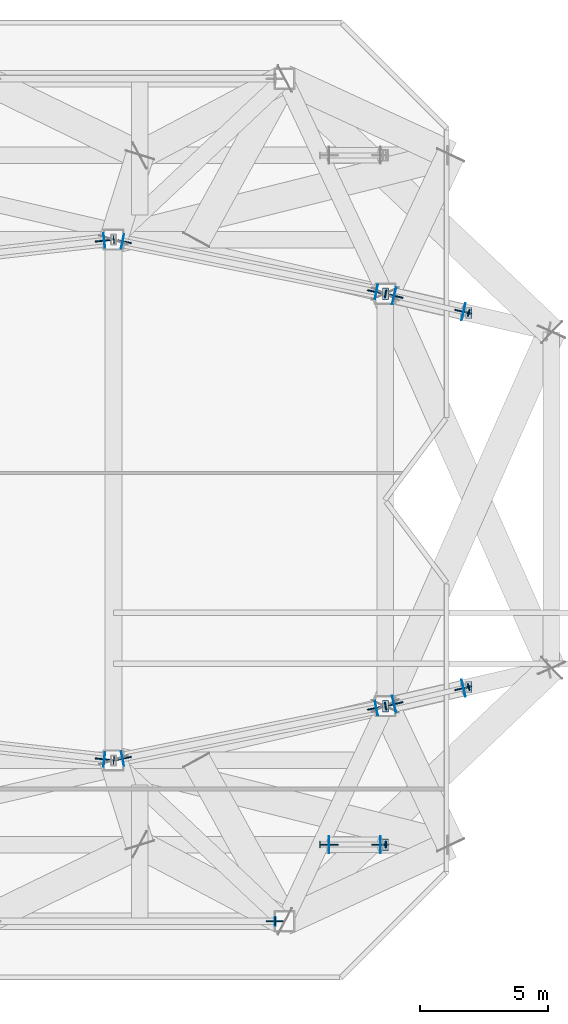
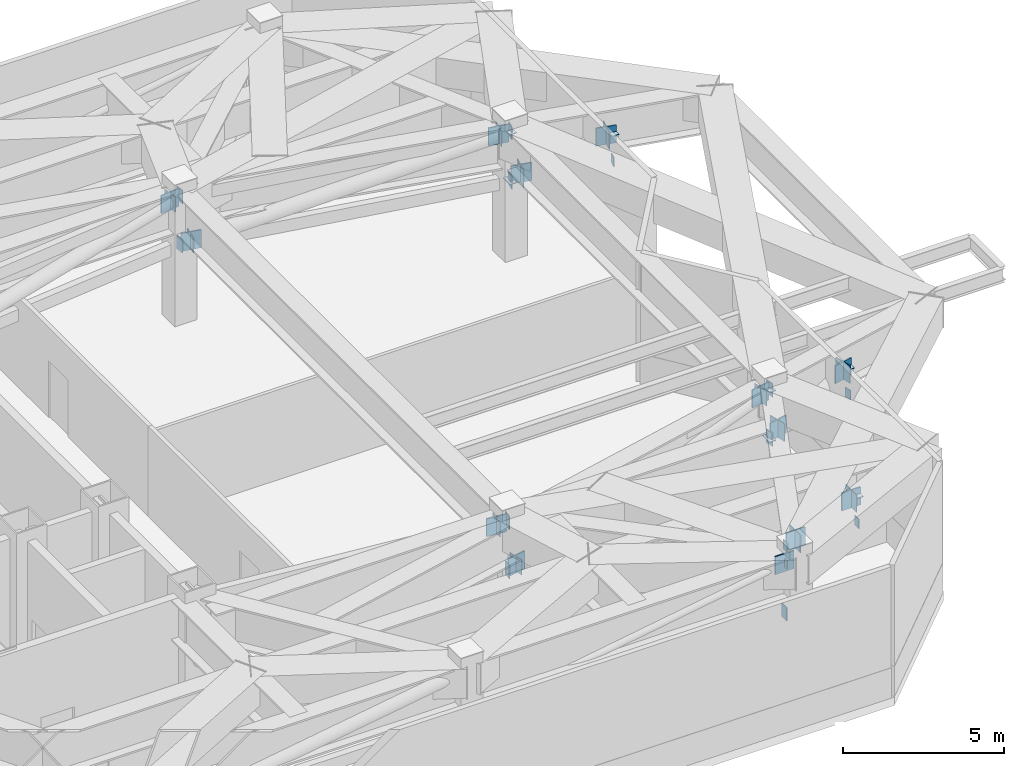
# One storey, part 11 of 19: 48 plates.
"""IFC4 building model written with IfcOpenShell, lengths in metres."""

from ifc_helpers import new_model, si_unit, direction, frame, origin, origin_2d, place, context, subcontext, project, spatial, rectangle, extrude, material, layer, layer_set, type_object, element, save


model = new_model("IFC4")

# Units and contexts
model_context = context("Model", 3, precision=1e-05, world=origin(), true_north=direction((0.0, 1.0)))
body_context = subcontext(model_context, "Body", "Model", "MODEL_VIEW")
ifc_project = project(units=[si_unit("LENGTHUNIT", "METRE"), si_unit("AREAUNIT", "SQUARE_METRE"), si_unit("VOLUMEUNIT", "CUBIC_METRE"), si_unit("PLANEANGLEUNIT", "RADIAN"), si_unit("MASSUNIT", "GRAM", prefix="KILO")], contexts=[model_context])

# Site, building, storey
site_placement = place(None, origin())
site = spatial("IfcSite", under=ifc_project, at=site_placement, CompositionType="ELEMENT")
building_placement = place(site_placement, origin())
building = spatial("IfcBuilding", under=site, at=building_placement, Name="Khamvora Tower", CompositionType="ELEMENT")
storey_placement = place(building_placement, frame((0.0, 0.0, 211.800048828125)))
storey = spatial("IfcBuildingStorey", under=building, at=storey_placement, Name="L54", CompositionType="ELEMENT", Elevation=211.800048828125)

# Plates
ifc_material_1 = material(Name="Steel S355", Category="steel")
ifc_layer_1 = layer(ifc_material_1, 0.02490234375)
ifc_layer_set_1 = layer_set([ifc_layer_1], Name="Steel S355")
plate_type_1 = type_object("IfcPlateType", Name="PL-CAP-25", PredefinedType="SHEET", material=ifc_layer_set_1)
for number, where, z_axis, x_axis, name in (
    (1, (50.06201171875, 17.799072265625, 4.375), (0.0, 0.0, 1.0), (0.993711372373, -0.11197190905, 0.0), "L54 hollow section steel end cap plate 1013"),
    (2, (50.06201171875, 17.799072265625, 2.5048828125), (0.0, 0.0, 1.0), (0.993711372373, -0.11197190905, 0.0), "L54 hollow section steel end cap plate 1015"),
):
    element("IfcPlate", number, at=place(storey_placement, frame(where, z_axis=z_axis, x_axis=x_axis)), inside=storey, type_object=plate_type_1, Name=name, PredefinedType="SHEET", context=body_context, shape_type="SweptSolid", body=[
        extrude(rectangle(XDim=0.02490234375, YDim=0.31005859375, at=origin_2d()), origin(), (0.0, 0.0, 1.0), 0.510009765625),
    ])
plate_1_placement = place(storey_placement, frame((49.68994140625, 17.841064453125, 4.28271484375), z_axis=(0.0, 0.0, 1.0), x_axis=(0.993707463211, -0.112006596052, 0.0)))
element("IfcPlate", 3, at=plate_1_placement, inside=storey, type_object=plate_type_1, Name="L54 hollow section steel end cap plate 1017", PredefinedType="SHEET", context=body_context, shape_type="SweptSolid", body=[
    extrude(rectangle(XDim=0.02490234375, YDim=0.568115234375, at=origin_2d()), origin(), (0.0, 0.0, 1.0), 0.568115234375),
])
for number, where, z_axis, x_axis, name in (
    (4, (60.7119140625, 19.927001953125, 4.375), (0.0, 0.0, 1.0), (0.980669338797, 0.195672297334, 0.0), "L54 hollow section steel end cap plate 1018"),
    (5, (60.7119140625, 19.927001953125, 2.5048828125), (0.0, 0.0, 1.0), (0.980669338797, 0.195672297334, 0.0), "L54 hollow section steel end cap plate 1019"),
):
    element("IfcPlate", number, at=place(storey_placement, frame(where, z_axis=z_axis, x_axis=x_axis)), inside=storey, type_object=plate_type_1, Name=name, PredefinedType="SHEET", context=body_context, shape_type="SweptSolid", body=[
        extrude(rectangle(XDim=0.02490234375, YDim=0.31005859375, at=origin_2d()), origin(), (0.0, 0.0, 1.0), 0.510009765625),
    ])
for number, where, z_axis, x_axis, name in (
    (6, (50.405029296875, 17.87109375, 2.5380859375), (0.0, 0.0, 1.0), (0.980659092075, 0.195723644792, 0.0), "L54 hollow section steel end cap plate 1020"),
    (7, (60.344970703125, 19.85400390625, 4.28369140625), (0.0, 0.0, 1.0), (0.980659092075, 0.195723644792, 0.0), "L54 hollow section steel end cap plate 1021"),
):
    element("IfcPlate", number, at=place(storey_placement, frame(where, z_axis=z_axis, x_axis=x_axis)), inside=storey, type_object=plate_type_1, Name=name, PredefinedType="SHEET", context=body_context, shape_type="SweptSolid", body=[
        extrude(rectangle(XDim=0.02490234375, YDim=0.568115234375, at=origin_2d()), origin(), (0.0, 0.0, 1.0), 0.568115234375),
    ])
for number, where, z_axis, x_axis, name in (
    (8, (60.699951171875, 19.925048828125, 2.735595703125), (0.0, 0.0, 1.0), (1.0, 0.0, 0.0), "L54 hollow section steel end cap plate 1022"),
    (9, (60.699951171875, 19.925048828125, 4.62939453125), (0.0, 0.0, 1.0), (1.0, 0.0, 0.0), "L54 hollow section steel end cap plate 1023"),
):
    element("IfcPlate", number, at=place(storey_placement, frame(where, z_axis=z_axis, x_axis=x_axis)), inside=storey, type_object=plate_type_1, Name=name, PredefinedType="SHEET", context=body_context, shape_type="SweptSolid", body=[
        extrude(rectangle(XDim=0.239990234375, YDim=0.43994140625, at=origin_2d()), origin(), (0.0, 0.0, 1.0), 0.02490234375),
    ])
for number, where, z_axis, x_axis, name in (
    (10, (50.06201171875, 38.200927734375, 4.375), (0.0, 0.0, 1.0), (0.993711372373, 0.11197190905, 0.0), "L54 hollow section steel end cap plate 1025"),
    (11, (50.06201171875, 38.200927734375, 2.5048828125), (0.0, 0.0, 1.0), (0.993711372373, 0.11197190905, 0.0), "L54 hollow section steel end cap plate 1027"),
):
    element("IfcPlate", number, at=place(storey_placement, frame(where, z_axis=z_axis, x_axis=x_axis)), inside=storey, type_object=plate_type_1, Name=name, PredefinedType="SHEET", context=body_context, shape_type="SweptSolid", body=[
        extrude(rectangle(XDim=0.02490234375, YDim=0.31005859375, at=origin_2d()), origin(), (0.0, 0.0, 1.0), 0.510009765625),
    ])
plate_2_placement = place(storey_placement, frame((49.68994140625, 38.158935546875, 4.28271484375), z_axis=(0.0, 0.0, 1.0), x_axis=(0.993707463211, 0.112006596052, 0.0)))
element("IfcPlate", 12, at=plate_2_placement, inside=storey, type_object=plate_type_1, Name="L54 hollow section steel end cap plate 1029", PredefinedType="SHEET", context=body_context, shape_type="SweptSolid", body=[
    extrude(rectangle(XDim=0.02490234375, YDim=0.568115234375, at=origin_2d()), origin(), (0.0, 0.0, 1.0), 0.568115234375),
])
for number, where, z_axis, x_axis, name in (
    (13, (60.7119140625, 36.072998046875, 4.375), (0.0, 0.0, 1.0), (0.980669338797, -0.195672297334, 0.0), "L54 hollow section steel end cap plate 1030"),
    (14, (60.7119140625, 36.072998046875, 2.5048828125), (0.0, 0.0, 1.0), (0.980669338797, -0.195672297334, 0.0), "L54 hollow section steel end cap plate 1031"),
):
    element("IfcPlate", number, at=place(storey_placement, frame(where, z_axis=z_axis, x_axis=x_axis)), inside=storey, type_object=plate_type_1, Name=name, PredefinedType="SHEET", context=body_context, shape_type="SweptSolid", body=[
        extrude(rectangle(XDim=0.02490234375, YDim=0.31005859375, at=origin_2d()), origin(), (0.0, 0.0, 1.0), 0.510009765625),
    ])
for number, where, z_axis, x_axis, name in (
    (15, (50.405029296875, 38.12890625, 2.5380859375), (0.0, 0.0, 1.0), (0.980659092075, -0.195723644792, 0.0), "L54 hollow section steel end cap plate 1032"),
    (16, (60.344970703125, 36.14599609375, 4.28369140625), (0.0, 0.0, 1.0), (0.980659092075, -0.195723644792, 0.0), "L54 hollow section steel end cap plate 1033"),
):
    element("IfcPlate", number, at=place(storey_placement, frame(where, z_axis=z_axis, x_axis=x_axis)), inside=storey, type_object=plate_type_1, Name=name, PredefinedType="SHEET", context=body_context, shape_type="SweptSolid", body=[
        extrude(rectangle(XDim=0.02490234375, YDim=0.568115234375, at=origin_2d()), origin(), (0.0, 0.0, 1.0), 0.568115234375),
    ])
for number, where, z_axis, x_axis, name in (
    (17, (60.699951171875, 36.074951171875, 2.735595703125), (0.0, 0.0, 1.0), (1.0, 0.0, 0.0), "L54 hollow section steel end cap plate 1034"),
    (18, (60.699951171875, 36.074951171875, 4.62939453125), (0.0, 0.0, 1.0), (1.0, 0.0, 0.0), "L54 hollow section steel end cap plate 1035"),
):
    element("IfcPlate", number, at=place(storey_placement, frame(where, z_axis=z_axis, x_axis=x_axis)), inside=storey, type_object=plate_type_1, Name=name, PredefinedType="SHEET", context=body_context, shape_type="SweptSolid", body=[
        extrude(rectangle(XDim=0.239990234375, YDim=0.43994140625, at=origin_2d()), origin(), (0.0, 0.0, 1.0), 0.02490234375),
    ])
plate_3_placement = place(storey_placement, frame((56.383056640625, 11.5, 2.5048828125), z_axis=(0.0, 0.0, 1.0), x_axis=(1.0, 0.0, 0.0)))
element("IfcPlate", 19, at=plate_3_placement, inside=storey, type_object=plate_type_1, Name="L54 hollow section steel end cap plate 1045", PredefinedType="SHEET", context=body_context, shape_type="SweptSolid", body=[
    extrude(rectangle(XDim=0.02490234375, YDim=0.31005859375, at=origin_2d()), origin(), (0.0, 0.0, 1.0), 0.510009765625),
])
for number, where, z_axis, x_axis, name in (
    (20, (58.14404296875, 14.5, 2.65966796875), (0.0, 0.0, 1.0), (1.0, 0.0, 0.0), "L54 hollow section steel end cap plate 1060"),
    (21, (60.716064453125, 14.5, 2.65966796875), (0.0, 0.0, 1.0), (1.0, 0.0, 0.0), "L54 hollow section steel end cap plate 1061"),
):
    element("IfcPlate", number, at=place(storey_placement, frame(where, z_axis=z_axis, x_axis=x_axis)), inside=storey, type_object=plate_type_1, Name=name, PredefinedType="SHEET", context=body_context, shape_type="SweptSolid", body=[
        extrude(rectangle(XDim=0.02490234375, YDim=0.260009765625, at=origin_2d()), origin(), (0.0, 0.0, 1.0), 0.360107421875),
    ])
plate_4_placement = place(storey_placement, frame((60.702880859375, 14.5, 3.889404296875), z_axis=(0.0, 0.0, 1.0), x_axis=(1.0, 0.0, 0.0)))
element("IfcPlate", 22, at=plate_4_placement, inside=storey, type_object=plate_type_1, Name="L54 hollow section steel end cap plate 1062", PredefinedType="SHEET", context=body_context, shape_type="SweptSolid", body=[
    extrude(rectangle(XDim=0.239990234375, YDim=0.43994140625, at=origin_2d()), origin(), (0.0, 0.0, 1.0), 0.02490234375),
])
for number, where, z_axis, x_axis, name in (
    (23, (58.49609375, 14.5, 2.64501953125), (0.0, 0.0, 1.0), (1.0, 0.0, 0.0), "L54 hollow section steel end cap plate 1063"),
    (24, (60.511962890625, 14.5, 3.47607421875), (0.0, 0.0, 1.0), (1.0, 0.0, 0.0), "L54 hollow section steel end cap plate 1064"),
):
    element("IfcPlate", number, at=place(storey_placement, frame(where, z_axis=z_axis, x_axis=x_axis)), inside=storey, type_object=plate_type_1, Name=name, PredefinedType="SHEET", context=body_context, shape_type="SweptSolid", body=[
        extrude(rectangle(XDim=0.02490234375, YDim=0.669921875, at=origin_2d()), origin(), (0.0, 0.0, 1.0), 0.669921875),
    ])
for number, where, z_axis, x_axis, name in (
    (25, (60.68798828125, 19.922119140625, 2.65966796875), (0.0, 0.0, 1.0), (0.974389691758, 0.224866023659, 0.0), "L54 hollow section steel end cap plate 1074"),
    (26, (63.9619140625, 20.677978515625, 2.65966796875), (0.0, 0.0, 1.0), (0.974389691758, 0.224866023659, 0.0), "L54 hollow section steel end cap plate 1075"),
):
    element("IfcPlate", number, at=place(storey_placement, frame(where, z_axis=z_axis, x_axis=x_axis)), inside=storey, type_object=plate_type_1, Name=name, PredefinedType="SHEET", context=body_context, shape_type="SweptSolid", body=[
        extrude(rectangle(XDim=0.02490234375, YDim=0.260009765625, at=origin_2d()), origin(), (0.0, 0.0, 1.0), 0.360107421875),
    ])
plate_5_placement = place(storey_placement, frame((63.949951171875, 20.675048828125, 3.889404296875), z_axis=(0.0, 0.0, 1.0), x_axis=(1.0, 0.0, 0.0)))
element("IfcPlate", 27, at=plate_5_placement, inside=storey, type_object=plate_type_1, Name="L54 hollow section steel end cap plate 1076", PredefinedType="SHEET", context=body_context, shape_type="SweptSolid", body=[
    extrude(rectangle(XDim=0.239990234375, YDim=0.43994140625, at=origin_2d()), origin(), (0.0, 0.0, 1.0), 0.02490234375),
])
for number, where, z_axis, x_axis, name in (
    (28, (61.041015625, 20.00390625, 2.614990234375), (0.0, 0.0, 1.0), (0.974428923442, 0.224695957151, 0.0), "L54 hollow section steel end cap plate 1077"),
    (29, (63.758056640625, 20.631103515625, 3.492919921875), (0.0, 0.0, 1.0), (0.974428923442, 0.224695957151, 0.0), "L54 hollow section steel end cap plate 1078"),
):
    element("IfcPlate", number, at=place(storey_placement, frame(where, z_axis=z_axis, x_axis=x_axis)), inside=storey, type_object=plate_type_1, Name=name, PredefinedType="SHEET", context=body_context, shape_type="SweptSolid", body=[
        extrude(rectangle(XDim=0.02490234375, YDim=0.669921875, at=origin_2d()), origin(), (0.0, 0.0, 1.0), 0.669921875),
    ])
for number, where, z_axis, x_axis, name in (
    (30, (60.68798828125, 36.077880859375, 2.65966796875), (0.0, 0.0, 1.0), (0.974389691758, -0.224866023659, 0.0), "L54 hollow section steel end cap plate 1079"),
    (31, (63.9619140625, 35.322021484375, 2.65966796875), (0.0, 0.0, 1.0), (0.974389691758, -0.224866023659, 0.0), "L54 hollow section steel end cap plate 1080"),
):
    element("IfcPlate", number, at=place(storey_placement, frame(where, z_axis=z_axis, x_axis=x_axis)), inside=storey, type_object=plate_type_1, Name=name, PredefinedType="SHEET", context=body_context, shape_type="SweptSolid", body=[
        extrude(rectangle(XDim=0.02490234375, YDim=0.260009765625, at=origin_2d()), origin(), (0.0, 0.0, 1.0), 0.360107421875),
    ])
plate_6_placement = place(storey_placement, frame((63.949951171875, 35.324951171875, 3.889404296875), z_axis=(0.0, 0.0, 1.0), x_axis=(1.0, 0.0, 0.0)))
element("IfcPlate", 32, at=plate_6_placement, inside=storey, type_object=plate_type_1, Name="L54 hollow section steel end cap plate 1081", PredefinedType="SHEET", context=body_context, shape_type="SweptSolid", body=[
    extrude(rectangle(XDim=0.239990234375, YDim=0.43994140625, at=origin_2d()), origin(), (0.0, 0.0, 1.0), 0.02490234375),
])
for number, where, z_axis, x_axis, name in (
    (33, (61.041015625, 35.99609375, 2.614990234375), (0.0, 0.0, 1.0), (0.974428923442, -0.224695957151, 0.0), "L54 hollow section steel end cap plate 1082"),
    (34, (63.758056640625, 35.368896484375, 3.492919921875), (0.0, 0.0, 1.0), (0.974428923442, -0.224695957151, 0.0), "L54 hollow section steel end cap plate 1083"),
):
    element("IfcPlate", number, at=place(storey_placement, frame(where, z_axis=z_axis, x_axis=x_axis)), inside=storey, type_object=plate_type_1, Name=name, PredefinedType="SHEET", context=body_context, shape_type="SweptSolid", body=[
        extrude(rectangle(XDim=0.02490234375, YDim=0.669921875, at=origin_2d()), origin(), (0.0, 0.0, 1.0), 0.669921875),
    ])
plate_7_placement = place(storey_placement, frame((56.386962890625, 11.5, 4.4833984375), z_axis=(0.0, 0.0, 1.0), x_axis=(1.0, 0.0, 0.0)))
element("IfcPlate", 35, at=plate_7_placement, inside=storey, type_object=plate_type_1, Name="L54 hollow section steel end cap plate 1127", PredefinedType="SHEET", context=body_context, shape_type="SweptSolid", body=[
    extrude(rectangle(XDim=0.02490234375, YDim=0.3330078125, at=origin_2d()), origin(), (0.0, 0.0, 1.0), 0.3330078125),
])
ifc_material_2 = material(Name="Steel S460", Category="steel")
ifc_layer_2 = layer(ifc_material_2, 0.050048828125)
ifc_layer_set_2 = layer_set([ifc_layer_2], Name="Steel S460")
plate_type_2 = type_object("IfcPlateType", Name="PLT-GUS-50", PredefinedType="SHEET", material=ifc_layer_set_2)
for number, where, z_axis, x_axis, name in (
    (36, (49.677978515625, 17.842041015625, 4.22509765625), (0.0, 0.0, 1.0), (0.993711372373, -0.11197190905, 0.0), "L54 brace connection node gusset plate 0338"),
    (37, (50.4169921875, 17.873046875, 2.48388671875), (0.0, 0.0, 1.0), (0.980669338797, 0.195672297334, 0.0), "L54 brace connection node gusset plate 0339"),
    (38, (60.3330078125, 19.85205078125, 4.22607421875), (0.0, 0.0, 1.0), (0.980669338797, 0.195672297334, 0.0), "L54 brace connection node gusset plate 0340"),
    (39, (49.677978515625, 38.157958984375, 4.22509765625), (0.0, 0.0, 1.0), (0.993711372373, 0.11197190905, 0.0), "L54 brace connection node gusset plate 0342"),
    (40, (50.4169921875, 38.126953125, 2.48388671875), (0.0, 0.0, 1.0), (0.980669338797, -0.195672297334, 0.0), "L54 brace connection node gusset plate 0343"),
    (41, (60.3330078125, 36.14794921875, 4.22607421875), (0.0, 0.0, 1.0), (0.980669338797, -0.195672297334, 0.0), "L54 brace connection node gusset plate 0344"),
    (42, (58.508056640625, 14.5, 2.64501953125), (0.0, 0.0, 1.0), (1.0, 0.0, 0.0), "L54 brace connection node gusset plate 0357"),
    (43, (60.5, 14.5, 3.4658203125), (0.0, 0.0, 1.0), (1.0, 0.0, 0.0), "L54 brace connection node gusset plate 0358"),
    (44, (61.052978515625, 20.007080078125, 2.61376953125), (0.0, 0.0, 1.0), (0.974389691758, 0.224866023659, 0.0), "L54 brace connection node gusset plate 0365"),
    (45, (63.74609375, 20.6279296875, 3.48388671875), (0.0, 0.0, 1.0), (0.974389691758, 0.224866023659, 0.0), "L54 brace connection node gusset plate 0366"),
    (46, (61.052978515625, 35.992919921875, 2.61376953125), (0.0, 0.0, 1.0), (0.974389691758, -0.224866023659, 0.0), "L54 brace connection node gusset plate 0367"),
    (47, (63.74609375, 35.3720703125, 3.48388671875), (0.0, 0.0, 1.0), (0.974389691758, -0.224866023659, 0.0), "L54 brace connection node gusset plate 0368"),
    (48, (56.375, 11.5, 4.30810546875), (0.0, 0.0, 1.0), (1.0, 0.0, 0.0), "L54 brace connection node gusset plate 0370"),
):
    element("IfcPlate", number, at=place(storey_placement, frame(where, z_axis=z_axis, x_axis=x_axis)), inside=storey, type_object=plate_type_2, Name=name, PredefinedType="SHEET", context=body_context, shape_type="SweptSolid", body=[
        extrude(rectangle(XDim=0.679931640625, YDim=0.050048828125, at=origin_2d()), origin(), (0.0, 0.0, 1.0), 0.679931640625),
    ])

save(model, "model.ifc")
